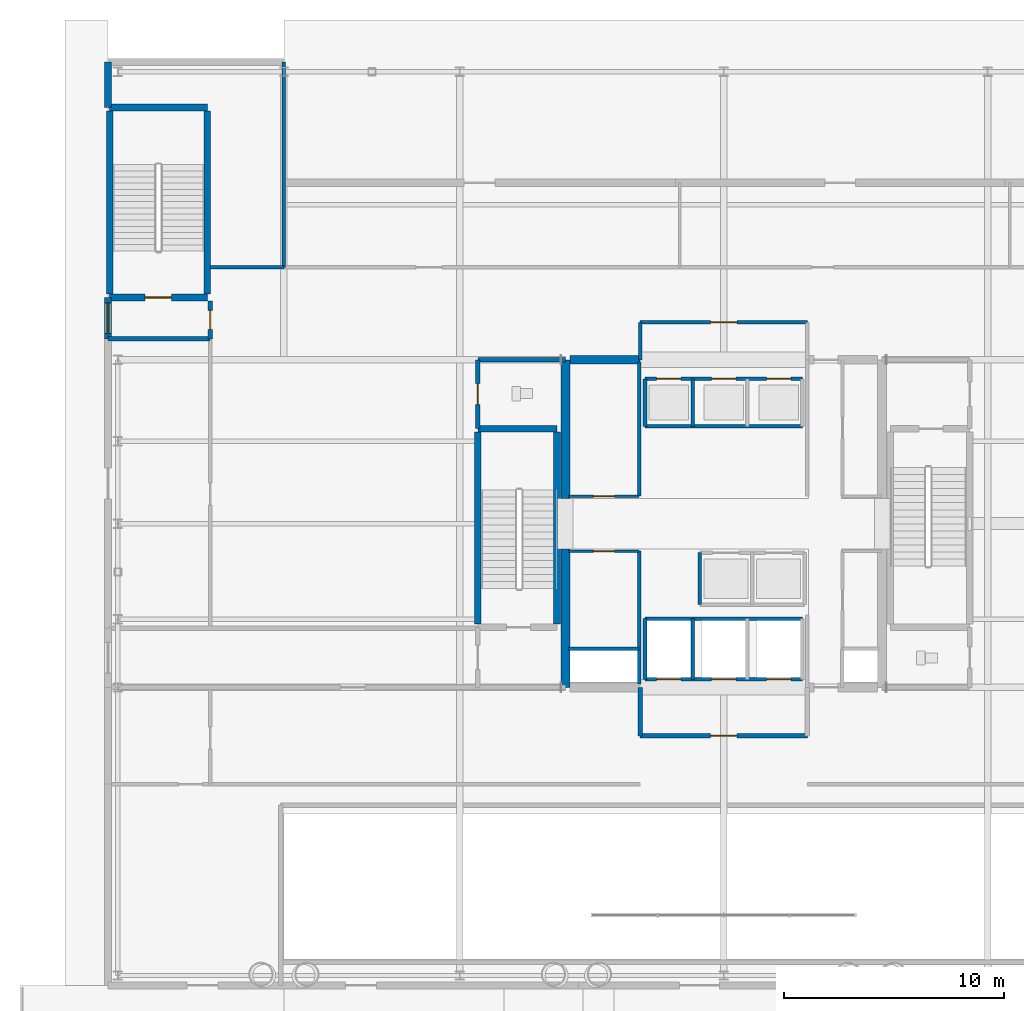
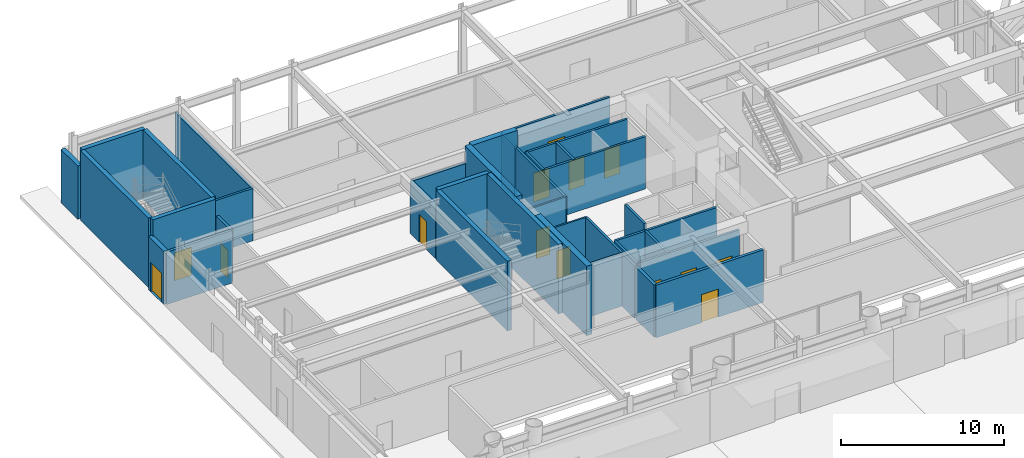
# One storey, part 12 of 19: 36 walls, 14 doors, 14 openings.
"""IFC4 building model written with IfcOpenShell, lengths in metres."""

from ifc_helpers import new_model, si_unit, direction, frame, frame_2d, origin, place, context, subcontext, project, spatial, rectangle, extrude, material, layer, layer_set, type_object, element, fill, save


model = new_model("IFC4")

# Units and contexts
model_context = context("Model", 3, precision=1e-05, world=origin(), true_north=direction((0.0, 1.0)))
body_context = subcontext(model_context, "Body", "Model", "MODEL_VIEW")
ifc_project = project(units=[si_unit("LENGTHUNIT", "METRE"), si_unit("AREAUNIT", "SQUARE_METRE"), si_unit("VOLUMEUNIT", "CUBIC_METRE"), si_unit("PLANEANGLEUNIT", "RADIAN"), si_unit("MASSUNIT", "GRAM", prefix="KILO")], contexts=[model_context])

# Site, building, storey
site_placement = place(None, origin())
site = spatial("IfcSite", under=ifc_project, at=site_placement, CompositionType="ELEMENT")
building_placement = place(site_placement, origin())
building = spatial("IfcBuilding", under=site, at=building_placement, Name="Veldorina Hangang Commons", CompositionType="ELEMENT")
storey_placement = place(building_placement, origin())
storey = spatial("IfcBuildingStorey", under=building, at=storey_placement, Name="L00", CompositionType="ELEMENT", Elevation=0.0)

# Walls
ifc_material_1 = material(Name="Concrete C70/85", Category="concrete")
ifc_layer_1 = layer(ifc_material_1, 0.39990234375)
ifc_layer_set_1 = layer_set([ifc_layer_1], Name="Concrete C70/85")
wall_type_1 = type_object("IfcWallType", Name="CW-RC400-C70", PredefinedType="SHEAR", material=ifc_layer_set_1)
for number, where, z_axis, x_axis, name in (
    (1, (24.800048828125, 16.550048828125, 0.0), (0.0, 0.0, 1.0), (0.0, 1.0, 0.0), "L00 W south core shear wall"),
    (2, (24.800048828125, 25.14990234375, 0.0), (0.0, 0.0, 1.0), (0.0, 1.0, 0.0), "L00 W north core shear wall"),
):
    element("IfcWall", number, at=place(storey_placement, frame(where, z_axis=z_axis, x_axis=x_axis)), inside=storey, type_object=wall_type_1, Name=name, PredefinedType="SHEAR", context=body_context, shape_type="SweptSolid", body=[
        extrude(rectangle(XDim=6.300048828125, YDim=0.39990234375, at=frame_2d((3.14990234375, 0.0))), origin(), (0.0, 0.0, 1.0), 5.199951171875),
    ])
wall_1_placement = place(storey_placement, frame((25.0, 31.449951171875, 0.0), z_axis=(0.0, 0.0, 1.0), x_axis=(1.0, 0.0, 0.0)))
element("IfcWall", 3, at=wall_1_placement, inside=storey, type_object=wall_type_1, Name="L00 north-west core shear wall", PredefinedType="SHEAR", context=body_context, shape_type="SweptSolid", body=[
    extrude(rectangle(XDim=3.199951171875, YDim=0.39990234375, at=frame_2d((1.60009765625, 0.0))), origin(), (0.0, 0.0, 1.0), 5.199951171875),
])

# Wall, opening, door
ifc_material_2 = material(Name="Stone Pietra Limestone", Category="masonry")
ifc_layer_2 = layer(ifc_material_2, 0.320068359375)
ifc_layer_set_2 = layer_set([ifc_layer_2], Name="Stone Pietra Limestone")
wall_type_2 = type_object("IfcWallType", Name="EW-LIME-320", PredefinedType="STANDARD", material=ifc_layer_set_2)
wall_2_placement = place(storey_placement, frame((4.0, 34.280029296875, 0.0), z_axis=(0.0, 0.0, 1.0), x_axis=(0.0, -1.0, 0.0)))
wall_2 = element("IfcWall", 4, at=wall_2_placement, inside=storey, type_object=wall_type_2, Name="L00 west podium stone wall W5", PredefinedType="STANDARD", context=body_context, shape_type="SweptSolid", body=[
    extrude(rectangle(XDim=1.880126953125, YDim=0.320068359375, at=frame_2d((0.93994140625, 0.0))), origin(), (0.0, 0.0, 1.0), 3.969970703125),
])
opening_1_placement = place(wall_2_placement, frame((0.239990234375, 0.0, 0.0)))
opening_1 = element("IfcOpeningElement", 5, at=opening_1_placement, cuts=wall_2, Name="Opening ED-1400", PredefinedType="OPENING", context=body_context, shape_type="SweptSolid", body=[
    extrude(rectangle(XDim=1.39990234375, YDim=2.199951171875, at=frame_2d((0.699951171875, 1.10009765625))), frame((0.0, 0.169921875, 0.0), z_axis=(0.0, -1.0, 0.0), x_axis=(1.0, 0.0, 0.0)), (0.0, 0.0, 1.0), 0.340087890625),
])
ifc_material_3 = material(Name="Steel Insulated Painted", Category="steel")
door_type_1 = type_object("IfcDoorType", Name="DR-EXT-EXIT1400", OperationType="SINGLE_SWING_LEFT", PredefinedType="DOOR", material=ifc_material_3)
door_1_placement = place(opening_1_placement, frame((1.39990234375, 0.0, 0.0), z_axis=(0.0, 0.0, 1.0), x_axis=(-1.0, 0.0, 0.0)))
door_1 = element("IfcDoor", 6, at=door_1_placement, inside=storey, type_object=door_type_1, Name="L00 ST-P1 protected passageway final exterior exit door", OperationType="SINGLE_SWING_RIGHT", OverallHeight=2.199951171875, OverallWidth=1.39990234375, PredefinedType="DOOR", context=body_context, shape_type="SweptSolid", body=[
    extrude(rectangle(XDim=1.39990234375, YDim=2.199951171875, at=frame_2d((0.699951171875, 1.10009765625))), frame((0.0, 0.02490234375, 0.0), z_axis=(0.0, -1.0, 0.0), x_axis=(1.0, 0.0, 0.0)), (0.0, 0.0, 1.0), 0.050048828125),
])
fill(opening_1, door_1)

# Walls
wall_3_placement = place(storey_placement, frame((4.0, 45.0, 0.0), z_axis=(0.0, 0.0, 1.0), x_axis=(0.0, -1.0, 0.0)))
element("IfcWall", 7, at=wall_3_placement, inside=storey, type_object=wall_type_2, Name="L00 west podium stone wall W7", PredefinedType="STANDARD", context=body_context, shape_type="SweptSolid", body=[
    extrude(rectangle(XDim=2.080078125, YDim=0.320068359375, at=frame_2d((1.0400390625, 0.0))), origin(), (0.0, 0.0, 1.0), 3.969970703125),
])
ifc_material_4 = material(Name="Concrete C50/60", Category="concrete")
ifc_layer_3 = layer(ifc_material_4, 0.300048828125)
ifc_layer_set_3 = layer_set([ifc_layer_3], Name="Concrete C50/60")
wall_type_3 = type_object("IfcWallType", Name="SW-STAIR-300", PredefinedType="SHEAR", material=ifc_layer_set_3)
for number, where, z_axis, x_axis, name in (
    (8, (20.820068359375, 19.429931640625, 0.0), (0.0, 0.0, 1.0), (0.0, 1.0, 0.0), "L00 ST1 outer stair shear wall"),
    (9, (24.419921875, 19.429931640625, 0.0), (0.0, 0.0, 1.0), (0.0, 1.0, 0.0), "L00 ST1 inner stair shear wall"),
):
    element("IfcWall", number, at=place(storey_placement, frame(where, z_axis=z_axis, x_axis=x_axis)), inside=storey, type_object=wall_type_3, Name=name, PredefinedType="SHEAR", context=body_context, shape_type="SweptSolid", body=[
        extrude(rectangle(XDim=8.739990234375, YDim=0.300048828125, at=frame_2d((4.3701171875, 0.0))), origin(), (0.0, 0.0, 1.0), 5.199951171875),
    ])
wall_4_placement = place(storey_placement, frame((20.820068359375, 28.320068359375, 0.0), z_axis=(0.0, 0.0, 1.0), x_axis=(1.0, 0.0, 0.0)))
element("IfcWall", 10, at=wall_4_placement, inside=storey, type_object=wall_type_3, Name="L00 ST1 north stair shear wall", PredefinedType="SHEAR", context=body_context, shape_type="SweptSolid", body=[
    extrude(rectangle(XDim=3.599853515625, YDim=0.300048828125, at=frame_2d((1.7998046875, 0.0))), origin(), (0.0, 0.0, 1.0), 5.199951171875),
])
for number, where, z_axis, x_axis, name in (
    (11, (4.080078125, 34.429931640625, 0.0), (0.0, 0.0, 1.0), (0.0, 1.0, 0.0), "L00 STP1 W stair shear wall"),
    (12, (8.52001953125, 34.429931640625, 0.0), (0.0, 0.0, 1.0), (0.0, 1.0, 0.0), "L00 STP1 E stair shear wall"),
):
    element("IfcWall", number, at=place(storey_placement, frame(where, z_axis=z_axis, x_axis=x_axis)), inside=storey, type_object=wall_type_3, Name=name, PredefinedType="SHEAR", context=body_context, shape_type="SweptSolid", body=[
        extrude(rectangle(XDim=8.340087890625, YDim=0.300048828125, at=frame_2d((4.169921875, 0.0))), origin(), (0.0, 0.0, 1.0), 5.199951171875),
    ])

# Wall, opening, door
wall_5_placement = place(storey_placement, frame((4.080078125, 34.280029296875, 0.0), z_axis=(0.0, 0.0, 1.0), x_axis=(1.0, 0.0, 0.0)))
wall_5 = element("IfcWall", 13, at=wall_5_placement, inside=storey, type_object=wall_type_3, Name="L00 STP1 S stair shear wall", PredefinedType="SHEAR", context=body_context, shape_type="SweptSolid", body=[
    extrude(rectangle(XDim=4.43994140625, YDim=0.300048828125, at=frame_2d((2.219970703125, 0.0))), origin(), (0.0, 0.0, 1.0), 5.199951171875),
])
opening_2_placement = place(wall_5_placement, frame((1.60009765625, 0.0, 0.0)))
opening_2 = element("IfcOpeningElement", 14, at=opening_2_placement, cuts=wall_5, Name="Opening D-09", PredefinedType="OPENING", context=body_context, shape_type="SweptSolid", body=[
    extrude(rectangle(XDim=1.199951171875, YDim=2.10009765625, at=frame_2d((0.60009765625, 1.050048828125))), frame((0.0, 0.16015625, 0.0), z_axis=(0.0, -1.0, 0.0), x_axis=(1.0, 0.0, 0.0)), (0.0, 0.0, 1.0), 0.320068359375),
])
ifc_material_5 = material(Name="Steel Fire-Rated Corridor Door", Category="steel")
door_type_2 = type_object("IfcDoorType", Name="DR-FIRE-1200", OperationType="SINGLE_SWING_LEFT", PredefinedType="DOOR", material=ifc_material_5)
door_2_placement = place(opening_2_placement, origin())
door_2 = element("IfcDoor", 15, at=door_2_placement, inside=storey, type_object=door_type_2, Name="L00 Podium Stair ST-P1 door", OperationType="SINGLE_SWING_LEFT", OverallHeight=2.10009765625, OverallWidth=1.199951171875, PredefinedType="DOOR", context=body_context, shape_type="SweptSolid", body=[
    extrude(rectangle(XDim=1.199951171875, YDim=2.10009765625, at=frame_2d((0.60009765625, 1.050048828125))), frame((0.0, 0.02490234375, 0.0), z_axis=(0.0, -1.0, 0.0), x_axis=(1.0, 0.0, 0.0)), (0.0, 0.0, 1.0), 0.050048828125),
])
fill(opening_2, door_2)

# Wall
wall_6_placement = place(storey_placement, frame((4.080078125, 42.919921875, 0.0), z_axis=(0.0, 0.0, 1.0), x_axis=(1.0, 0.0, 0.0)))
element("IfcWall", 16, at=wall_6_placement, inside=storey, type_object=wall_type_3, Name="L00 STP1 N stair shear wall", PredefinedType="SHEAR", context=body_context, shape_type="SweptSolid", body=[
    extrude(rectangle(XDim=4.43994140625, YDim=0.300048828125, at=frame_2d((2.219970703125, 0.0))), origin(), (0.0, 0.0, 1.0), 5.199951171875),
])

# Wall, openings, doors
ifc_material_6 = material(Name="Gypsum Fire-Rated Twin Stud Wall", Category="gypsum")
ifc_layer_4 = layer(ifc_material_6, 0.159912109375)
ifc_layer_set_4 = layer_set([ifc_layer_4], Name="Gypsum Fire-Rated Twin Stud Wall")
wall_type_4 = type_object("IfcWallType", Name="WL-FIRE-160", PredefinedType="SOLIDWALL", material=ifc_layer_set_4)
wall_7_placement = place(storey_placement, frame((28.419921875, 30.580078125, 0.0), z_axis=(0.0, 0.0, 1.0), x_axis=(1.0, 0.0, 0.0)))
wall_7 = element("IfcWall", 17, at=wall_7_placement, inside=storey, type_object=wall_type_4, Name="L00 Low-bank front shaft wall 015", PredefinedType="SOLIDWALL", context=body_context, shape_type="SweptSolid", body=[
    extrude(rectangle(XDim=7.16015625, YDim=0.159912109375, at=frame_2d((3.580078125, 0.0))), origin(), (0.0, 0.0, 1.0), 3.919921875),
])
opening_3_placement = place(wall_7_placement, frame((0.530029296875, 0.0, 0.0)))
opening_3 = element("IfcOpeningElement", 18, at=opening_3_placement, cuts=wall_7, Name="Opening LD-01", PredefinedType="OPENING", context=body_context, shape_type="SweptSolid", body=[
    extrude(rectangle(XDim=1.10009765625, YDim=2.14990234375, at=frame_2d((0.550048828125, 1.074951171875))), frame((0.0, 0.08984375, 0.0), z_axis=(0.0, -1.0, 0.0), x_axis=(1.0, 0.0, 0.0)), (0.0, 0.0, 1.0), 0.179931640625),
])
opening_4_placement = place(wall_7_placement, frame((3.030029296875, 0.0, 0.0)))
opening_4 = element("IfcOpeningElement", 19, at=opening_4_placement, cuts=wall_7, Name="Opening LD-01", PredefinedType="OPENING", context=body_context, shape_type="SweptSolid", body=[
    extrude(rectangle(XDim=1.10009765625, YDim=2.14990234375, at=frame_2d((0.550048828125, 1.074951171875))), frame((0.0, 0.08984375, 0.0), z_axis=(0.0, -1.0, 0.0), x_axis=(1.0, 0.0, 0.0)), (0.0, 0.0, 1.0), 0.179931640625),
])
opening_5_placement = place(wall_7_placement, frame((5.530029296875, 0.0, 0.0)))
opening_5 = element("IfcOpeningElement", 20, at=opening_5_placement, cuts=wall_7, Name="Opening LD-01", PredefinedType="OPENING", context=body_context, shape_type="SweptSolid", body=[
    extrude(rectangle(XDim=1.10009765625, YDim=2.14990234375, at=frame_2d((0.550048828125, 1.074951171875))), frame((0.0, 0.08984375, 0.0), z_axis=(0.0, -1.0, 0.0), x_axis=(1.0, 0.0, 0.0)), (0.0, 0.0, 1.0), 0.179931640625),
])
ifc_material_7 = material(Name="Stainless Steel Brushed Lift Door", Category="steel")
door_type_3 = type_object("IfcDoorType", Name="DR-LIFT-1100", OperationType="SLIDING_TO_LEFT", PredefinedType="DOOR", material=ifc_material_7)
door_3_placement = place(opening_3_placement, origin())
door_3 = element("IfcDoor", 21, at=door_3_placement, inside=storey, type_object=door_type_3, Name="L00 Lift PL-L1 landing door 006", OperationType="SLIDING_TO_LEFT", OverallHeight=2.14990234375, OverallWidth=1.10009765625, PredefinedType="DOOR", context=body_context, shape_type="SweptSolid", body=[
    extrude(rectangle(XDim=1.10009765625, YDim=2.14990234375, at=frame_2d((0.550048828125, 1.074951171875))), frame((0.0, 0.02490234375, 0.0), z_axis=(0.0, -1.0, 0.0), x_axis=(1.0, 0.0, 0.0)), (0.0, 0.0, 1.0), 0.050048828125),
])
fill(opening_3, door_3)
door_4_placement = place(opening_4_placement, origin())
door_4 = element("IfcDoor", 22, at=door_4_placement, inside=storey, type_object=door_type_3, Name="L00 Lift PL-L2 landing door 007", OperationType="SLIDING_TO_LEFT", OverallHeight=2.14990234375, OverallWidth=1.10009765625, PredefinedType="DOOR", context=body_context, shape_type="SweptSolid", body=[
    extrude(rectangle(XDim=1.10009765625, YDim=2.14990234375, at=frame_2d((0.550048828125, 1.074951171875))), frame((0.0, 0.02490234375, 0.0), z_axis=(0.0, -1.0, 0.0), x_axis=(1.0, 0.0, 0.0)), (0.0, 0.0, 1.0), 0.050048828125),
])
fill(opening_4, door_4)
door_5_placement = place(opening_5_placement, origin())
door_5 = element("IfcDoor", 23, at=door_5_placement, inside=storey, type_object=door_type_3, Name="L00 Lift PL-L3 landing door 008", OperationType="SLIDING_TO_LEFT", OverallHeight=2.14990234375, OverallWidth=1.10009765625, PredefinedType="DOOR", context=body_context, shape_type="SweptSolid", body=[
    extrude(rectangle(XDim=1.10009765625, YDim=2.14990234375, at=frame_2d((0.550048828125, 1.074951171875))), frame((0.0, 0.02490234375, 0.0), z_axis=(0.0, -1.0, 0.0), x_axis=(1.0, 0.0, 0.0)), (0.0, 0.0, 1.0), 0.050048828125),
])
fill(opening_5, door_5)

# Walls
wall_8_placement = place(storey_placement, frame((28.419921875, 28.419921875, 0.0), z_axis=(0.0, 0.0, 1.0), x_axis=(1.0, 0.0, 0.0)))
element("IfcWall", 24, at=wall_8_placement, inside=storey, type_object=wall_type_4, Name="L00 Low-bank rear shaft wall 016", PredefinedType="SOLIDWALL", context=body_context, shape_type="SweptSolid", body=[
    extrude(rectangle(XDim=7.16015625, YDim=0.159912109375, at=frame_2d((3.580078125, 0.0))), origin(), (0.0, 0.0, 1.0), 3.919921875),
])
for number, where, z_axis, x_axis, name in (
    (25, (28.419921875, 28.419921875, 0.0), (0.0, 0.0, 1.0), (0.0, 1.0, 0.0), "L00 PL-L1 west shaft wall 017"),
    (26, (30.580078125, 28.419921875, 0.0), (0.0, 0.0, 1.0), (0.0, 1.0, 0.0), "L00 PL-L1 east shaft wall 018"),
):
    element("IfcWall", number, at=place(storey_placement, frame(where, z_axis=z_axis, x_axis=x_axis)), inside=storey, type_object=wall_type_4, Name=name, PredefinedType="SOLIDWALL", context=body_context, shape_type="SweptSolid", body=[
        extrude(rectangle(XDim=2.16015625, YDim=0.159912109375, at=frame_2d((1.080078125, 0.0))), origin(), (0.0, 0.0, 1.0), 3.919921875),
    ])
wall_9_placement = place(storey_placement, frame((30.919921875, 20.320068359375, 0.0), z_axis=(0.0, 0.0, 1.0), x_axis=(0.0, 1.0, 0.0)))
element("IfcWall", 27, at=wall_9_placement, inside=storey, type_object=wall_type_4, Name="L00 SL-1 west shaft wall 023", PredefinedType="SOLIDWALL", context=body_context, shape_type="SweptSolid", body=[
    extrude(rectangle(XDim=2.35986328125, YDim=0.159912109375, at=frame_2d((1.179931640625, 0.0))), origin(), (0.0, 0.0, 1.0), 3.919921875),
])

# Wall, openings, doors
wall_10_placement = place(storey_placement, frame((28.419921875, 16.919921875, 0.0), z_axis=(0.0, 0.0, 1.0), x_axis=(1.0, 0.0, 0.0)))
wall_10 = element("IfcWall", 28, at=wall_10_placement, inside=storey, type_object=wall_type_4, Name="L00 Emergency front shaft wall 026", PredefinedType="SOLIDWALL", context=body_context, shape_type="SweptSolid", body=[
    extrude(rectangle(XDim=7.16015625, YDim=0.159912109375, at=frame_2d((3.580078125, 0.0))), origin(), (0.0, 0.0, 1.0), 3.919921875),
])
opening_6_placement = place(wall_10_placement, frame((0.530029296875, 0.0, 0.0)))
opening_6 = element("IfcOpeningElement", 29, at=opening_6_placement, cuts=wall_10, Name="Opening LD-03", PredefinedType="OPENING", context=body_context, shape_type="SweptSolid", body=[
    extrude(rectangle(XDim=1.10009765625, YDim=2.14990234375, at=frame_2d((0.550048828125, 1.074951171875))), frame((0.0, 0.08984375, 0.0), z_axis=(0.0, -1.0, 0.0), x_axis=(1.0, 0.0, 0.0)), (0.0, 0.0, 1.0), 0.179931640625),
])
opening_7_placement = place(wall_10_placement, frame((3.030029296875, 0.0, 0.0)))
opening_7 = element("IfcOpeningElement", 30, at=opening_7_placement, cuts=wall_10, Name="Opening LD-03", PredefinedType="OPENING", context=body_context, shape_type="SweptSolid", body=[
    extrude(rectangle(XDim=1.10009765625, YDim=2.14990234375, at=frame_2d((0.550048828125, 1.074951171875))), frame((0.0, 0.08984375, 0.0), z_axis=(0.0, -1.0, 0.0), x_axis=(1.0, 0.0, 0.0)), (0.0, 0.0, 1.0), 0.179931640625),
])
opening_8_placement = place(wall_10_placement, frame((5.530029296875, 0.0, 0.0)))
opening_8 = element("IfcOpeningElement", 31, at=opening_8_placement, cuts=wall_10, Name="Opening LD-03", PredefinedType="OPENING", context=body_context, shape_type="SweptSolid", body=[
    extrude(rectangle(XDim=1.10009765625, YDim=2.14990234375, at=frame_2d((0.550048828125, 1.074951171875))), frame((0.0, 0.08984375, 0.0), z_axis=(0.0, -1.0, 0.0), x_axis=(1.0, 0.0, 0.0)), (0.0, 0.0, 1.0), 0.179931640625),
])
ifc_material_8 = material(Name="Stainless Steel Firefighting Lift Door", Category="steel")
door_type_4 = type_object("IfcDoorType", Name="DR-LIFT-FF1100", OperationType="SLIDING_TO_RIGHT", PredefinedType="DOOR", material=ifc_material_8)
door_6_placement = place(opening_6_placement, origin())
door_6 = element("IfcDoor", 32, at=door_6_placement, inside=storey, type_object=door_type_4, Name="L00 Emergency lift FFL-1 landing door 011", OperationType="SLIDING_TO_RIGHT", OverallHeight=2.14990234375, OverallWidth=1.10009765625, PredefinedType="DOOR", context=body_context, shape_type="SweptSolid", body=[
    extrude(rectangle(XDim=1.10009765625, YDim=2.14990234375, at=frame_2d((0.550048828125, 1.074951171875))), frame((0.0, 0.02490234375, 0.0), z_axis=(0.0, -1.0, 0.0), x_axis=(1.0, 0.0, 0.0)), (0.0, 0.0, 1.0), 0.050048828125),
])
fill(opening_6, door_6)
door_7_placement = place(opening_7_placement, origin())
door_7 = element("IfcDoor", 33, at=door_7_placement, inside=storey, type_object=door_type_4, Name="L00 Emergency lift FFL-2 landing door 012", OperationType="SLIDING_TO_RIGHT", OverallHeight=2.14990234375, OverallWidth=1.10009765625, PredefinedType="DOOR", context=body_context, shape_type="SweptSolid", body=[
    extrude(rectangle(XDim=1.10009765625, YDim=2.14990234375, at=frame_2d((0.550048828125, 1.074951171875))), frame((0.0, 0.02490234375, 0.0), z_axis=(0.0, -1.0, 0.0), x_axis=(1.0, 0.0, 0.0)), (0.0, 0.0, 1.0), 0.050048828125),
])
fill(opening_7, door_7)
door_8_placement = place(opening_8_placement, origin())
door_8 = element("IfcDoor", 34, at=door_8_placement, inside=storey, type_object=door_type_4, Name="L00 Emergency lift EVL-1 landing door 013", OperationType="SLIDING_TO_RIGHT", OverallHeight=2.14990234375, OverallWidth=1.10009765625, PredefinedType="DOOR", context=body_context, shape_type="SweptSolid", body=[
    extrude(rectangle(XDim=1.10009765625, YDim=2.14990234375, at=frame_2d((0.550048828125, 1.074951171875))), frame((0.0, 0.02490234375, 0.0), z_axis=(0.0, -1.0, 0.0), x_axis=(1.0, 0.0, 0.0)), (0.0, 0.0, 1.0), 0.050048828125),
])
fill(opening_8, door_8)

# Walls
wall_11_placement = place(storey_placement, frame((28.419921875, 19.679931640625, 0.0), z_axis=(0.0, 0.0, 1.0), x_axis=(1.0, 0.0, 0.0)))
element("IfcWall", 35, at=wall_11_placement, inside=storey, type_object=wall_type_4, Name="L00 Emergency rear shaft wall 027", PredefinedType="SOLIDWALL", context=body_context, shape_type="SweptSolid", body=[
    extrude(rectangle(XDim=7.16015625, YDim=0.159912109375, at=frame_2d((3.580078125, 0.0))), origin(), (0.0, 0.0, 1.0), 3.919921875),
])
for number, where, z_axis, x_axis, name in (
    (36, (28.419921875, 16.919921875, 0.0), (0.0, 0.0, 1.0), (0.0, 1.0, 0.0), "L00 FFL-1 west shaft wall 028"),
    (37, (30.580078125, 16.919921875, 0.0), (0.0, 0.0, 1.0), (0.0, 1.0, 0.0), "L00 FFL-1 east shaft wall 029"),
):
    element("IfcWall", number, at=place(storey_placement, frame(where, z_axis=z_axis, x_axis=x_axis)), inside=storey, type_object=wall_type_4, Name=name, PredefinedType="SOLIDWALL", context=body_context, shape_type="SweptSolid", body=[
        extrude(rectangle(XDim=2.760009765625, YDim=0.159912109375, at=frame_2d((1.3798828125, 0.0))), origin(), (0.0, 0.0, 1.0), 3.919921875),
    ])
wall_12_placement = place(storey_placement, frame((28.199951171875, 31.449951171875, 0.0), z_axis=(0.0, 0.0, 1.0), x_axis=(0.0, 1.0, 0.0)))
element("IfcWall", 38, at=wall_12_placement, inside=storey, type_object=wall_type_4, Name="L00 North lobby west wall 032", PredefinedType="SOLIDWALL", context=body_context, shape_type="SweptSolid", body=[
    extrude(rectangle(XDim=1.699951171875, YDim=0.159912109375, at=frame_2d((0.85009765625, 0.0))), origin(), (0.0, 0.0, 1.0), 3.919921875),
])

# Wall, opening, door
wall_13_placement = place(storey_placement, frame((28.199951171875, 33.14990234375, 0.0), z_axis=(0.0, 0.0, 1.0), x_axis=(1.0, 0.0, 0.0)))
wall_13 = element("IfcWall", 39, at=wall_13_placement, inside=storey, type_object=wall_type_4, Name="L00 North lobby north wall 034", PredefinedType="SOLIDWALL", context=body_context, shape_type="SweptSolid", body=[
    extrude(rectangle(XDim=7.60009765625, YDim=0.159912109375, at=frame_2d((3.800048828125, 0.0))), origin(), (0.0, 0.0, 1.0), 3.919921875),
])
opening_9_placement = place(wall_13_placement, frame((3.199951171875, 0.0, 0.0)))
opening_9 = element("IfcOpeningElement", 40, at=opening_9_placement, cuts=wall_13, Name="Opening D-09", PredefinedType="OPENING", context=body_context, shape_type="SweptSolid", body=[
    extrude(rectangle(XDim=1.199951171875, YDim=2.10009765625, at=frame_2d((0.60009765625, 1.050048828125))), frame((0.0, 0.08984375, 0.0), z_axis=(0.0, -1.0, 0.0), x_axis=(1.0, 0.0, 0.0)), (0.0, 0.0, 1.0), 0.179931640625),
])
door_9_placement = place(opening_9_placement, origin())
door_9 = element("IfcDoor", 41, at=door_9_placement, inside=storey, type_object=door_type_2, Name="L00 North lift lobby corridor door 014", OperationType="SINGLE_SWING_RIGHT", OverallHeight=2.10009765625, OverallWidth=1.199951171875, PredefinedType="DOOR", context=body_context, shape_type="SweptSolid", body=[
    extrude(rectangle(XDim=1.199951171875, YDim=2.10009765625, at=frame_2d((0.60009765625, 1.050048828125))), frame((0.0, 0.02490234375, 0.0), z_axis=(0.0, -1.0, 0.0), x_axis=(1.0, 0.0, 0.0)), (0.0, 0.0, 1.0), 0.050048828125),
])
fill(opening_9, door_9)

# Walls
wall_14_placement = place(storey_placement, frame((24.949951171875, 18.300048828125, 0.0), z_axis=(0.0, 0.0, 1.0), x_axis=(1.0, 0.0, 0.0)))
element("IfcWall", 42, at=wall_14_placement, inside=storey, type_object=wall_type_4, Name="L00 Electrical riser wall 035", PredefinedType="SOLIDWALL", context=body_context, shape_type="SweptSolid", body=[
    extrude(rectangle(XDim=3.199951171875, YDim=0.159912109375, at=frame_2d((1.60009765625, 0.0))), origin(), (0.0, 0.0, 1.0), 3.919921875),
])
wall_15_placement = place(storey_placement, frame((28.14990234375, 16.699951171875, 0.0), z_axis=(0.0, 0.0, 1.0), x_axis=(0.0, 1.0, 0.0)))
element("IfcWall", 43, at=wall_15_placement, inside=storey, type_object=wall_type_4, Name="L00 SW core inner wall 036", PredefinedType="SOLIDWALL", context=body_context, shape_type="SweptSolid", body=[
    extrude(rectangle(XDim=6.050048828125, YDim=0.159912109375, at=frame_2d((3.02490234375, 0.0))), origin(), (0.0, 0.0, 1.0), 3.919921875),
])
wall_16_placement = place(storey_placement, frame((28.14990234375, 25.25, 0.0), z_axis=(0.0, 0.0, 1.0), x_axis=(0.0, 1.0, 0.0)))
element("IfcWall", 44, at=wall_16_placement, inside=storey, type_object=wall_type_4, Name="L00 NW core inner wall 038", PredefinedType="SOLIDWALL", context=body_context, shape_type="SweptSolid", body=[
    extrude(rectangle(XDim=6.10009765625, YDim=0.159912109375, at=frame_2d((3.050048828125, 0.0))), origin(), (0.0, 0.0, 1.0), 3.919921875),
])
wall_17_placement = place(storey_placement, frame((8.64990234375, 35.64990234375, 0.0), z_axis=(0.0, 0.0, 1.0), x_axis=(1.0, 0.0, 0.0)))
element("IfcWall", 45, at=wall_17_placement, inside=storey, type_object=wall_type_4, Name="L00 Concourse NW inner wall 055", PredefinedType="SOLIDWALL", context=body_context, shape_type="SweptSolid", body=[
    extrude(rectangle(XDim=3.35009765625, YDim=0.159912109375, at=frame_2d((1.675048828125, 0.0))), origin(), (0.0, 0.0, 1.0), 3.919921875),
])
wall_18_placement = place(storey_placement, frame((12.0, 35.64990234375, 0.0), z_axis=(0.0, 0.0, 1.0), x_axis=(0.0, 1.0, 0.0)))
element("IfcWall", 46, at=wall_18_placement, inside=storey, type_object=wall_type_4, Name="L00 North courtyard west wall 064", PredefinedType="SOLIDWALL", context=body_context, shape_type="SweptSolid", body=[
    extrude(rectangle(XDim=9.35009765625, YDim=0.159912109375, at=frame_2d((4.675048828125, 0.0))), origin(), (0.0, 0.0, 1.0), 3.919921875),
])

# Wall, opening, door
ifc_material_9 = material(Name="Concrete Blockwork Fire Wall C30/37", Category="masonry")
ifc_layer_5 = layer(ifc_material_9, 0.199951171875)
ifc_layer_set_5 = layer_set([ifc_layer_5], Name="Concrete Blockwork Fire Wall C30/37")
wall_type_5 = type_object("IfcWallType", Name="WL-FIRE-200", PredefinedType="SOLIDWALL", material=ifc_layer_set_5)
wall_19_placement = place(storey_placement, frame((20.820068359375, 28.320068359375, 0.0), z_axis=(0.0, 0.0, 1.0), x_axis=(0.0, 1.0, 0.0)))
wall_19 = element("IfcWall", 47, at=wall_19_placement, inside=storey, type_object=wall_type_5, Name="L00 NW core room outer wall 005", PredefinedType="SOLIDWALL", context=body_context, shape_type="SweptSolid", body=[
    extrude(rectangle(XDim=3.1298828125, YDim=0.199951171875, at=frame_2d((1.56494140625, 0.0))), origin(), (0.0, 0.0, 1.0), 3.919921875),
])
opening_10_placement = place(wall_19_placement, frame((1.090087890625, 0.0, 0.0)))
opening_10 = element("IfcOpeningElement", 48, at=opening_10_placement, cuts=wall_19, Name="Opening D-04", PredefinedType="OPENING", context=body_context, shape_type="SweptSolid", body=[
    extrude(rectangle(XDim=0.949951171875, YDim=2.10009765625, at=frame_2d((0.47509765625, 1.050048828125))), frame((0.0, 0.10986328125, 0.0), z_axis=(0.0, -1.0, 0.0), x_axis=(1.0, 0.0, 0.0)), (0.0, 0.0, 1.0), 0.219970703125),
])
ifc_material_10 = material(Name="Timber Accessible Flush Leaf", Category="wood")
door_type_5 = type_object("IfcDoorType", Name="DR-ACC-950", OperationType="SINGLE_SWING_LEFT", PredefinedType="DOOR", material=ifc_material_10)
door_10_placement = place(opening_10_placement, origin())
door_10 = element("IfcDoor", 49, at=door_10_placement, inside=storey, type_object=door_type_5, Name="L00 NW core WC door 003", OperationType="SINGLE_SWING_LEFT", OverallHeight=2.10009765625, OverallWidth=0.949951171875, PredefinedType="DOOR", context=body_context, shape_type="SweptSolid", body=[
    extrude(rectangle(XDim=0.949951171875, YDim=2.10009765625, at=frame_2d((0.47509765625, 1.050048828125))), frame((0.0, 0.02490234375, 0.0), z_axis=(0.0, -1.0, 0.0), x_axis=(1.0, 0.0, 0.0)), (0.0, 0.0, 1.0), 0.050048828125),
])
fill(opening_10, door_10)

# Walls
wall_20_placement = place(storey_placement, frame((20.820068359375, 31.449951171875, 0.0), z_axis=(0.0, 0.0, 1.0), x_axis=(1.0, 0.0, 0.0)))
element("IfcWall", 50, at=wall_20_placement, inside=storey, type_object=wall_type_5, Name="L00 NW core room north wall 006", PredefinedType="SOLIDWALL", context=body_context, shape_type="SweptSolid", body=[
    extrude(rectangle(XDim=3.97998046875, YDim=0.199951171875, at=frame_2d((1.989990234375, 0.0))), origin(), (0.0, 0.0, 1.0), 3.919921875),
])
wall_21_placement = place(storey_placement, frame((28.199951171875, 14.35009765625, 0.0), z_axis=(0.0, 0.0, 1.0), x_axis=(0.0, 1.0, 0.0)))
element("IfcWall", 51, at=wall_21_placement, inside=storey, type_object=wall_type_5, Name="L00 FF lobby west wall 012", PredefinedType="SOLIDWALL", context=body_context, shape_type="SweptSolid", body=[
    extrude(rectangle(XDim=2.199951171875, YDim=0.199951171875, at=frame_2d((1.10009765625, 0.0))), origin(), (0.0, 0.0, 1.0), 3.919921875),
])

# Wall, opening, door
wall_22_placement = place(storey_placement, frame((28.199951171875, 14.35009765625, 0.0), z_axis=(0.0, 0.0, 1.0), x_axis=(1.0, 0.0, 0.0)))
wall_22 = element("IfcWall", 52, at=wall_22_placement, inside=storey, type_object=wall_type_5, Name="L00 FF lobby south wall 014", PredefinedType="SOLIDWALL", context=body_context, shape_type="SweptSolid", body=[
    extrude(rectangle(XDim=7.60009765625, YDim=0.199951171875, at=frame_2d((3.800048828125, 0.0))), origin(), (0.0, 0.0, 1.0), 3.919921875),
])
opening_11_placement = place(wall_22_placement, frame((3.199951171875, 0.0, 0.0)))
opening_11 = element("IfcOpeningElement", 53, at=opening_11_placement, cuts=wall_22, Name="Opening D-09", PredefinedType="OPENING", context=body_context, shape_type="SweptSolid", body=[
    extrude(rectangle(XDim=1.199951171875, YDim=2.10009765625, at=frame_2d((0.60009765625, 1.050048828125))), frame((0.0, 0.10986328125, 0.0), z_axis=(0.0, -1.0, 0.0), x_axis=(1.0, 0.0, 0.0)), (0.0, 0.0, 1.0), 0.219970703125),
])
door_11_placement = place(opening_11_placement, origin())
door_11 = element("IfcDoor", 54, at=door_11_placement, inside=storey, type_object=door_type_2, Name="L00 FF lobby south corridor door 005", OperationType="SINGLE_SWING_LEFT", OverallHeight=2.10009765625, OverallWidth=1.199951171875, PredefinedType="DOOR", context=body_context, shape_type="SweptSolid", body=[
    extrude(rectangle(XDim=1.199951171875, YDim=2.10009765625, at=frame_2d((0.60009765625, 1.050048828125))), frame((0.0, 0.02490234375, 0.0), z_axis=(0.0, -1.0, 0.0), x_axis=(1.0, 0.0, 0.0)), (0.0, 0.0, 1.0), 0.050048828125),
])
fill(opening_11, door_11)

wall_23_placement = place(storey_placement, frame((8.64990234375, 32.39990234375, 0.0), z_axis=(0.0, 0.0, 1.0), x_axis=(0.0, 1.0, 0.0)))
wall_23 = element("IfcWall", 55, at=wall_23_placement, inside=storey, type_object=wall_type_5, Name="L00 ST-P1 exit passageway east fire wall 050", PredefinedType="SOLIDWALL", context=body_context, shape_type="SweptSolid", body=[
    extrude(rectangle(XDim=1.72998046875, YDim=0.199951171875, at=frame_2d((0.864990234375, 0.0))), origin(), (0.0, 0.0, 1.0), 3.919921875),
])
opening_12_placement = place(wall_23_placement, frame((0.43505859375, 0.0, 0.0)))
opening_12 = element("IfcOpeningElement", 56, at=opening_12_placement, cuts=wall_23, Name="Opening D-01N", PredefinedType="OPENING", context=body_context, shape_type="SweptSolid", body=[
    extrude(rectangle(XDim=0.860107421875, YDim=2.10009765625, at=frame_2d((0.43017578125, 1.050048828125))), frame((0.0, 0.10986328125, 0.0), z_axis=(0.0, -1.0, 0.0), x_axis=(1.0, 0.0, 0.0)), (0.0, 0.0, 1.0), 0.219970703125),
])
ifc_material_11 = material(Name="Timber Fire-Rated Core", Category="wood")
door_type_6 = type_object("IfcDoorType", Name="DR-INT-860", OperationType="SINGLE_SWING_LEFT", PredefinedType="DOOR", material=ifc_material_11)
door_12_placement = place(opening_12_placement, origin())
door_12 = element("IfcDoor", 57, at=door_12_placement, inside=storey, type_object=door_type_6, Name="L00 ST-P1 passageway lobby door 019", OperationType="SINGLE_SWING_RIGHT", OverallHeight=2.10009765625, OverallWidth=0.860107421875, PredefinedType="DOOR", context=body_context, shape_type="SweptSolid", body=[
    extrude(rectangle(XDim=0.860107421875, YDim=2.10009765625, at=frame_2d((0.43017578125, 1.050048828125))), frame((0.0, 0.02490234375, 0.0), z_axis=(0.0, -1.0, 0.0), x_axis=(1.0, 0.0, 0.0)), (0.0, 0.0, 1.0), 0.050048828125),
])
fill(opening_12, door_12)

# Wall
wall_24_placement = place(storey_placement, frame((4.0, 32.39990234375, 0.0), z_axis=(0.0, 0.0, 1.0), x_axis=(1.0, 0.0, 0.0)))
element("IfcWall", 58, at=wall_24_placement, inside=storey, type_object=wall_type_5, Name="L00 West retail north fire wall 061", PredefinedType="SOLIDWALL", context=body_context, shape_type="SweptSolid", body=[
    extrude(rectangle(XDim=4.64990234375, YDim=0.199951171875, at=frame_2d((2.324951171875, 0.0))), origin(), (0.0, 0.0, 1.0), 3.919921875),
])

# Wall, opening, door
ifc_material_12 = material(Name="Gypsum Acoustic Stud Partition", Category="gypsum")
ifc_layer_6 = layer(ifc_material_12, 0.1201171875)
ifc_layer_set_6 = layer_set([ifc_layer_6], Name="Gypsum Acoustic Stud Partition")
wall_type_6 = type_object("IfcWallType", Name="WL-PART-120", PredefinedType="PARTITIONING", material=ifc_layer_set_6)
wall_25_placement = place(storey_placement, frame((24.949951171875, 25.25, 0.0), z_axis=(0.0, 0.0, 1.0), x_axis=(1.0, 0.0, 0.0)))
wall_25 = element("IfcWall", 59, at=wall_25_placement, inside=storey, type_object=wall_type_6, Name="L00 NW service south wall 039", PredefinedType="PARTITIONING", context=body_context, shape_type="SweptSolid", body=[
    extrude(rectangle(XDim=3.199951171875, YDim=0.1201171875, at=frame_2d((1.60009765625, 0.0))), origin(), (0.0, 0.0, 1.0), 3.919921875),
])
opening_13_placement = place(wall_25_placement, frame((1.125, 0.0, 0.0)))
opening_13 = element("IfcOpeningElement", 60, at=opening_13_placement, cuts=wall_25, Name="Opening D-02", PredefinedType="OPENING", context=body_context, shape_type="SweptSolid", body=[
    extrude(rectangle(XDim=0.949951171875, YDim=2.10009765625, at=frame_2d((0.47509765625, 1.050048828125))), frame((0.0, 0.070068359375, 0.0), z_axis=(0.0, -1.0, 0.0), x_axis=(1.0, 0.0, 0.0)), (0.0, 0.0, 1.0), 0.14013671875),
])
ifc_material_13 = material(Name="Timber Solid Core Acoustic", Category="wood")
door_type_7 = type_object("IfcDoorType", Name="DR-INT-950", OperationType="SINGLE_SWING_LEFT", PredefinedType="DOOR", material=ifc_material_13)
door_13_placement = place(opening_13_placement, origin())
door_13 = element("IfcDoor", 61, at=door_13_placement, inside=storey, type_object=door_type_7, Name="L00 Housekeeping store door 015", OperationType="SINGLE_SWING_LEFT", OverallHeight=2.10009765625, OverallWidth=0.949951171875, PredefinedType="DOOR", context=body_context, shape_type="SweptSolid", body=[
    extrude(rectangle(XDim=0.949951171875, YDim=2.10009765625, at=frame_2d((0.47509765625, 1.050048828125))), frame((0.0, 0.02490234375, 0.0), z_axis=(0.0, -1.0, 0.0), x_axis=(1.0, 0.0, 0.0)), (0.0, 0.0, 1.0), 0.050048828125),
])
fill(opening_13, door_13)

wall_26_placement = place(storey_placement, frame((24.949951171875, 22.75, 0.0), z_axis=(0.0, 0.0, 1.0), x_axis=(1.0, 0.0, 0.0)))
wall_26 = element("IfcWall", 62, at=wall_26_placement, inside=storey, type_object=wall_type_6, Name="L00 SW service north wall 040", PredefinedType="PARTITIONING", context=body_context, shape_type="SweptSolid", body=[
    extrude(rectangle(XDim=3.199951171875, YDim=0.1201171875, at=frame_2d((1.60009765625, 0.0))), origin(), (0.0, 0.0, 1.0), 3.919921875),
])
opening_14_placement = place(wall_26_placement, frame((1.125, 0.0, 0.0)))
opening_14 = element("IfcOpeningElement", 63, at=opening_14_placement, cuts=wall_26, Name="Opening D-02", PredefinedType="OPENING", context=body_context, shape_type="SweptSolid", body=[
    extrude(rectangle(XDim=0.949951171875, YDim=2.10009765625, at=frame_2d((0.47509765625, 1.050048828125))), frame((0.0, 0.070068359375, 0.0), z_axis=(0.0, -1.0, 0.0), x_axis=(1.0, 0.0, 0.0)), (0.0, 0.0, 1.0), 0.14013671875),
])
door_14_placement = place(opening_14_placement, origin())
door_14 = element("IfcDoor", 64, at=door_14_placement, inside=storey, type_object=door_type_7, Name="L00 Refuse hold door 016", OperationType="SINGLE_SWING_RIGHT", OverallHeight=2.10009765625, OverallWidth=0.949951171875, PredefinedType="DOOR", context=body_context, shape_type="SweptSolid", body=[
    extrude(rectangle(XDim=0.949951171875, YDim=2.10009765625, at=frame_2d((0.47509765625, 1.050048828125))), frame((0.0, 0.02490234375, 0.0), z_axis=(0.0, -1.0, 0.0), x_axis=(1.0, 0.0, 0.0)), (0.0, 0.0, 1.0), 0.050048828125),
])
fill(opening_14, door_14)

save(model, "model.ifc")
